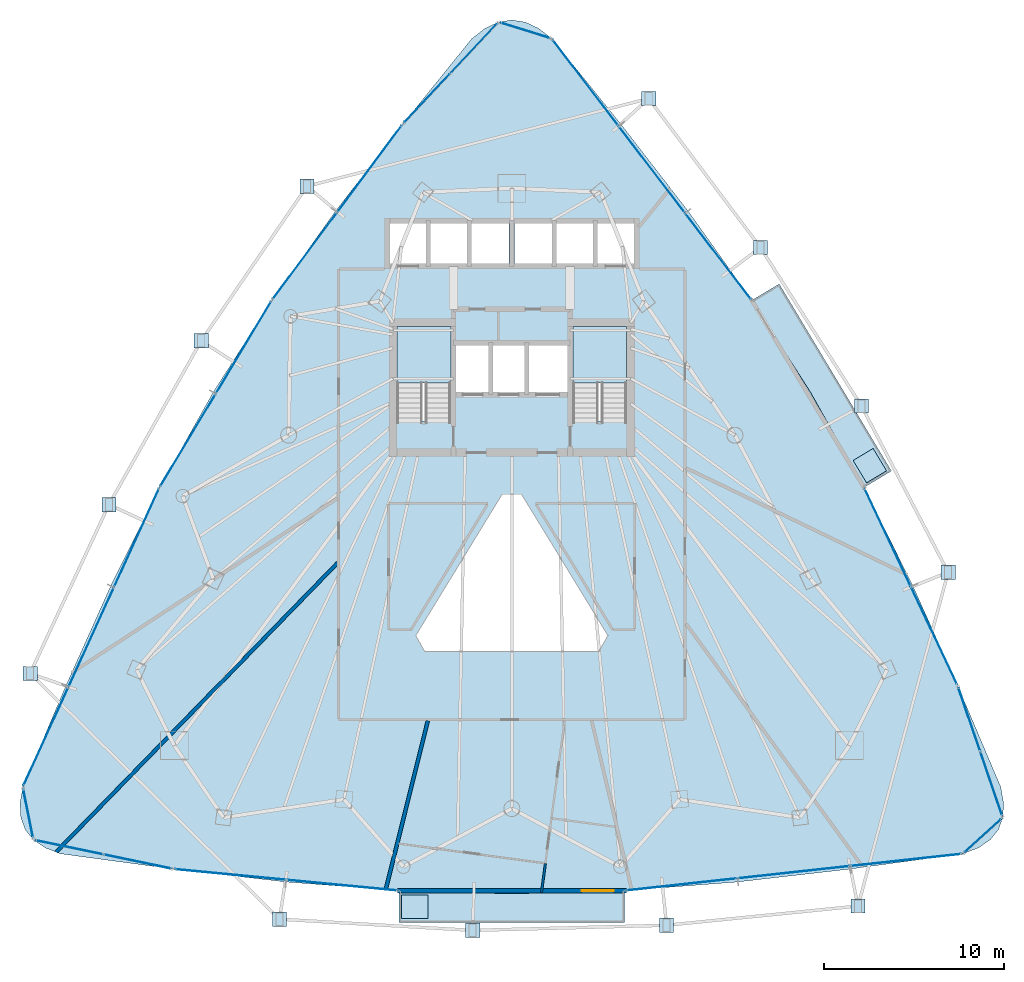
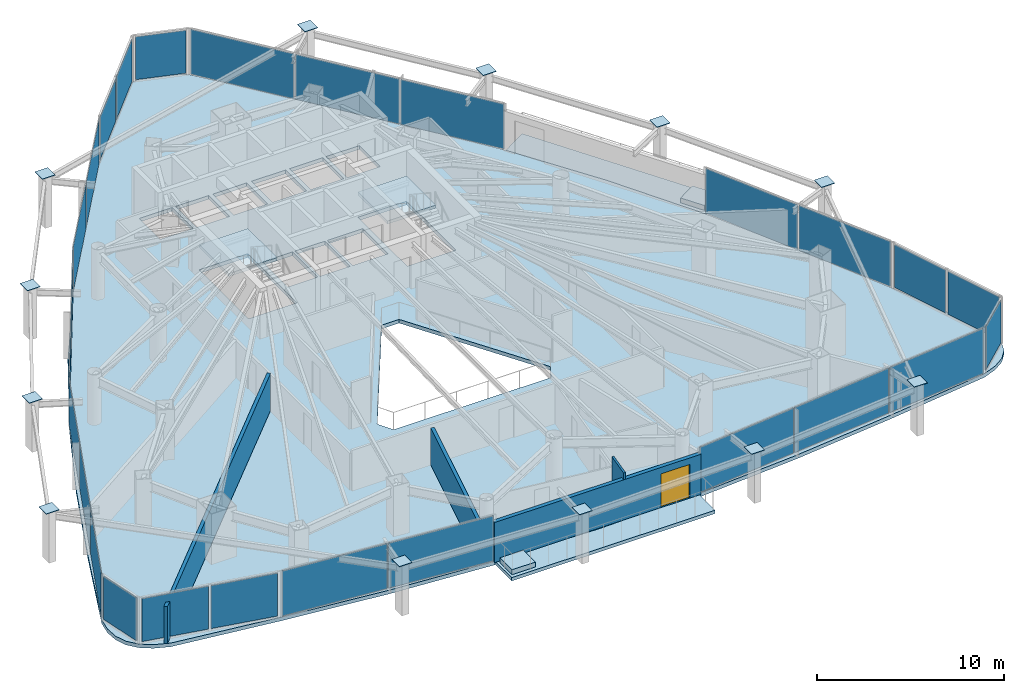
# One storey, part 28 of 33: 38 plates, 7 slabs, 4 walls, 1 door, 1 opening, 15 elements without a shape of their own.
"""IFC4 building model written with IfcOpenShell, lengths in metres."""

from ifc_helpers import new_model, si_unit, direction, frame, frame_2d, origin, origin_2d, place, context, subcontext, project, spatial, polyline, rectangle, outline, extrude, material, layer, layer_set, type_object, element, fill, aggregate, save


model = new_model("IFC4")

# Units and contexts
model_context = context("Model", 3, precision=1e-05, world=origin(), true_north=direction((0.0, 1.0)))
body_context = subcontext(model_context, "Body", "Model", "MODEL_VIEW")
ifc_project = project(units=[si_unit("LENGTHUNIT", "METRE"), si_unit("AREAUNIT", "SQUARE_METRE"), si_unit("VOLUMEUNIT", "CUBIC_METRE"), si_unit("PLANEANGLEUNIT", "RADIAN"), si_unit("MASSUNIT", "GRAM", prefix="KILO")], contexts=[model_context])

# Site, building, storey
site_placement = place(None, origin())
site = spatial("IfcSite", under=ifc_project, at=site_placement, CompositionType="ELEMENT")
building_placement = place(site_placement, origin())
building = spatial("IfcBuilding", under=site, at=building_placement, Name="Orvanel Arch Residences", CompositionType="ELEMENT")
storey_placement = place(building_placement, frame((0.0, 0.0, 87.35009765625)))
storey = spatial("IfcBuildingStorey", under=building, at=storey_placement, Name="L24", CompositionType="ELEMENT", Elevation=87.35009765625)

# Plates
ifc_material_1 = material(Name="Structural steel AS/NZS 3678 Grade 350", Category="steel")
ifc_layer_1 = layer(ifc_material_1, 0.031982421875)
ifc_layer_set_1 = layer_set([ifc_layer_1], Name="Structural steel AS/NZS 3678 Grade 350")
plate_type_1 = type_object("IfcPlateType", Name="PL-CAP-32", PredefinedType="SHEET", material=ifc_layer_set_1)
for number, where, z_axis, x_axis, name in (
    (1, (21.591064453125, 41.511962890625, 3.28369140625), (0.0, 0.0, 1.0), (1.0, 0.0, 0.0), "L24 hollow member end cap plate"),
    (2, (15.697021484375, 32.89697265625, 3.28369140625), (0.0, 0.0, 1.0), (1.0, 0.0, 0.0), "L24 hollow member end cap plate"),
    (3, (10.556884765625, 23.77392578125, 3.28369140625), (0.0, 0.0, 1.0), (1.0, 0.0, 0.0), "L24 hollow member end cap plate"),
    (4, (6.1650390625, 14.3720703125, 3.28369140625), (0.0, 0.0, 1.0), (1.0, 0.0, 0.0), "L24 hollow member end cap plate"),
    (5, (20.055908203125, 0.681884765625, 3.28369140625), (0.0, 0.0, 1.0), (1.0, 0.0, 0.0), "L24 hollow member end cap plate"),
    (6, (30.81494140625, 0.05908203125, 3.28369140625), (0.0, 0.0, 1.0), (1.0, 0.0, 0.0), "L24 hollow member end cap plate"),
    (7, (41.6201171875, 0.343017578125, 3.28369140625), (0.0, 0.0, 1.0), (1.0, 0.0, 0.0), "L24 hollow member end cap plate"),
    (8, (52.284912109375, 1.4130859375, 3.28369140625), (0.0, 0.0, 1.0), (1.0, 0.0, 0.0), "L24 hollow member end cap plate"),
    (9, (57.305908203125, 20.010009765625, 3.28369140625), (0.0, 0.0, 1.0), (1.0, 0.0, 0.0), "L24 hollow member end cap plate"),
    (10, (52.48095703125, 29.26708984375, 3.28369140625), (0.0, 0.0, 1.0), (1.0, 0.0, 0.0), "L24 hollow member end cap plate"),
    (11, (46.85205078125, 38.096923828125, 3.28369140625), (0.0, 0.0, 1.0), (1.0, 0.0, 0.0), "L24 hollow member end cap plate"),
    (12, (40.625, 46.39697265625, 3.28369140625), (0.0, 0.0, 1.0), (1.0, 0.0, 0.0), "L24 hollow member end cap plate"),
):
    element("IfcPlate", number, at=place(storey_placement, frame(where, z_axis=z_axis, x_axis=x_axis)), inside=storey, type_object=plate_type_1, Name=name, PredefinedType="SHEET", context=body_context, shape_type="SweptSolid", body=[
        extrude(rectangle(XDim=0.800048828125, YDim=0.800048828125, at=origin_2d()), origin(), (0.0, 0.0, 1.0), 0.031982421875),
    ])

# Curtain wall, plates
ifc_material_2 = material(Name="Bronze-anodised aluminium AA6063-T6", Category="aluminium")
ifc_layer_2 = layer(ifc_material_2, 0.179931640625)
ifc_layer_set_2 = layer_set([ifc_layer_2], Name="Bronze-anodised aluminium AA6063-T6")
curtain_wall_type_1 = type_object("IfcCurtainWallType", Name="CW2-LOW-SYS", PredefinedType="NOTDEFINED", material=ifc_layer_set_2)
curtain_wall_1_placement = place(storey_placement, origin())
curtain_wall_1 = element("IfcCurtainWall", 13, at=curtain_wall_1_placement, inside=storey, type_object=curtain_wall_type_1, Name="L24 CW2-LOW-SYS Unitised Curtain Wall", PredefinedType="NOTDEFINED")
ifc_material_3 = material(Name="Double-glazed solar-control low-E safety glass", Category="glass")
ifc_layer_3 = layer(ifc_material_3, 0.028076171875)
ifc_layer_set_3 = layer_set([ifc_layer_3], Name="Double-glazed solar-control low-E safety glass")
plate_type_2 = type_object("IfcPlateType", Name="PNL-GLZ-28", PredefinedType="CURTAIN_PANEL", material=ifc_layer_set_3)
plate_1_placement = place(storey_placement, frame((25.074951171875, 42.485107421875, 0.059814453125), z_axis=(0.0, 0.0, 1.0), x_axis=(-0.59629979893, -0.80276182632, 0.0)))
plate_1 = element("IfcPlate", 14, at=plate_1_placement, type_object=plate_type_2, Name="CW-S2 panel 1.1", PredefinedType="CURTAIN_PANEL", context=body_context, shape_type="SweptSolid", body=[
    extrude(rectangle(XDim=5.98095703125, YDim=0.028076171875, at=origin_2d()), origin(), (0.0, 0.0, 1.0), 2.93994140625),
])
plate_2_placement = place(storey_placement, frame((21.467041015625, 37.627685546875, 0.059814453125), z_axis=(0.0, 0.0, 1.0), x_axis=(-0.59629979893, -0.80276182632, 0.0)))
plate_2 = element("IfcPlate", 15, at=plate_2_placement, type_object=plate_type_2, Name="CW-S2 panel 2.1", PredefinedType="CURTAIN_PANEL", context=body_context, shape_type="SweptSolid", body=[
    extrude(rectangle(XDim=5.98095703125, YDim=0.028076171875, at=origin_2d()), origin(), (0.0, 0.0, 1.0), 2.93994140625),
])
aggregate(curtain_wall_1, [plate_1, plate_2])

curtain_wall_2_placement = place(storey_placement, origin())
curtain_wall_2 = element("IfcCurtainWall", 16, at=curtain_wall_2_placement, inside=storey, type_object=curtain_wall_type_1, Name="L24 CW2-LOW-SYS Unitised Curtain Wall", PredefinedType="NOTDEFINED")
plate_3_placement = place(storey_placement, frame((18.05322265625, 32.526123046875, 0.059814453125), z_axis=(0.0, 0.0, 1.0), x_axis=(-0.514422907712, -0.857536630134, 0.0)))
plate_3 = element("IfcPlate", 17, at=plate_3_placement, type_object=plate_type_2, Name="CW-S2 panel 1.1", PredefinedType="CURTAIN_PANEL", context=body_context, shape_type="SweptSolid", body=[
    extrude(rectangle(XDim=5.951416015625, YDim=0.028076171875, at=origin_2d()), origin(), (0.0, 0.0, 1.0), 2.93994140625),
])
plate_4_placement = place(storey_placement, frame((14.955810546875, 27.36279296875, 0.059814453125), z_axis=(0.0, 0.0, 1.0), x_axis=(-0.514422907712, -0.857536630134, 0.0)))
plate_4 = element("IfcPlate", 18, at=plate_4_placement, type_object=plate_type_2, Name="CW-S2 panel 2.1", PredefinedType="CURTAIN_PANEL", context=body_context, shape_type="SweptSolid", body=[
    extrude(rectangle(XDim=5.951416015625, YDim=0.028076171875, at=origin_2d()), origin(), (0.0, 0.0, 1.0), 2.93994140625),
])
aggregate(curtain_wall_2, [plate_3, plate_4])

curtain_wall_3_placement = place(storey_placement, origin())
curtain_wall_3 = element("IfcCurtainWall", 19, at=curtain_wall_3_placement, inside=storey, type_object=curtain_wall_type_1, Name="L24 CW2-LOW-SYS Unitised Curtain Wall", PredefinedType="NOTDEFINED")
plate_5_placement = place(storey_placement, frame((12.096923828125, 21.9248046875, 0.059814453125), z_axis=(0.0, 0.0, 1.0), x_axis=(-0.415267778343, -0.90969922077, 0.0)))
plate_5 = element("IfcPlate", 20, at=plate_5_placement, type_object=plate_type_2, Name="CW-S2 panel 1.1", PredefinedType="CURTAIN_PANEL", context=body_context, shape_type="SweptSolid", body=[
    extrude(rectangle(XDim=5.996337890625, YDim=0.028076171875, at=origin_2d()), origin(), (0.0, 0.0, 1.0), 2.93994140625),
])
plate_6_placement = place(storey_placement, frame((9.570556640625, 16.390380859375, 0.059814453125), z_axis=(0.0, 0.0, 1.0), x_axis=(-0.415267778343, -0.90969922077, 0.0)))
plate_6 = element("IfcPlate", 21, at=plate_6_placement, type_object=plate_type_2, Name="CW-S2 panel 2.1", PredefinedType="CURTAIN_PANEL", context=body_context, shape_type="SweptSolid", body=[
    extrude(rectangle(XDim=6.03125, YDim=0.028076171875, at=origin_2d()), origin(), (0.0, 0.0, 1.0), 2.93994140625),
])
plate_7_placement = place(storey_placement, frame((7.044189453125, 10.856201171875, 0.059814453125), z_axis=(0.0, 0.0, 1.0), x_axis=(-0.415267778343, -0.90969922077, 0.0)))
plate_7 = element("IfcPlate", 22, at=plate_7_placement, type_object=plate_type_2, Name="CW-S2 panel 3.1", PredefinedType="CURTAIN_PANEL", context=body_context, shape_type="SweptSolid", body=[
    extrude(rectangle(XDim=5.996337890625, YDim=0.028076171875, at=origin_2d()), origin(), (0.0, 0.0, 1.0), 2.93994140625),
])
aggregate(curtain_wall_3, [plate_5, plate_6, plate_7])

curtain_wall_4_placement = place(storey_placement, origin())
curtain_wall_4 = element("IfcCurtainWall", 23, at=curtain_wall_4_placement, inside=storey, type_object=curtain_wall_type_1, Name="L24 CW2-LOW-SYS Unitised Curtain Wall", PredefinedType="NOTDEFINED")
plate_8_placement = place(storey_placement, frame((17.32177734375, 3.169677734375, 0.059814453125), z_axis=(0.0, 0.0, 1.0), x_axis=(0.995449276227, -0.095292908754, 0.0)))
plate_8 = element("IfcPlate", 24, at=plate_8_placement, type_object=plate_type_2, Name="CW-S2 panel 1.1", PredefinedType="CURTAIN_PANEL", context=body_context, shape_type="SweptSolid", body=[
    extrude(rectangle(XDim=6.18603515625, YDim=0.028076171875, at=origin_2d()), origin(), (0.0, 0.0, 1.0), 2.93994140625),
])
plate_9_placement = place(storey_placement, frame((23.54931640625, 2.573486328125, 0.059814453125), z_axis=(0.0, 0.0, 1.0), x_axis=(0.995449276227, -0.095292908754, 0.0)))
plate_9 = element("IfcPlate", 25, at=plate_9_placement, type_object=plate_type_2, Name="CW-S2 panel 2.1", PredefinedType="CURTAIN_PANEL", context=body_context, shape_type="SweptSolid", body=[
    extrude(rectangle(XDim=6.18603515625, YDim=0.028076171875, at=origin_2d()), origin(), (0.0, 0.0, 1.0), 2.93994140625),
])
aggregate(curtain_wall_4, [plate_8, plate_9])

curtain_wall_5_placement = place(storey_placement, origin())
curtain_wall_5 = element("IfcCurtainWall", 26, at=curtain_wall_5_placement, inside=storey, type_object=curtain_wall_type_1, Name="L24 CW2-LOW-SYS Unitised Curtain Wall", PredefinedType="NOTDEFINED")
plate_10_placement = place(storey_placement, frame((42.453857421875, 2.615478515625, 0.059814453125), z_axis=(0.0, 0.0, 1.0), x_axis=(0.994117397629, 0.108307893213, 0.0)))
plate_10 = element("IfcPlate", 27, at=plate_10_placement, type_object=plate_type_2, Name="CW-S2 panel 1.1", PredefinedType="CURTAIN_PANEL", context=body_context, shape_type="SweptSolid", body=[
    extrude(rectangle(XDim=6.201171875, YDim=0.028076171875, at=origin_2d()), origin(), (0.0, 0.0, 1.0), 2.93994140625),
])
plate_11_placement = place(storey_placement, frame((48.70556640625, 3.29638671875, 0.059814453125), z_axis=(0.0, 0.0, 1.0), x_axis=(0.994117397629, 0.108307893213, 0.0)))
plate_11 = element("IfcPlate", 28, at=plate_11_placement, type_object=plate_type_2, Name="CW-S2 panel 2.1", PredefinedType="CURTAIN_PANEL", context=body_context, shape_type="SweptSolid", body=[
    extrude(rectangle(XDim=6.236083984375, YDim=0.028076171875, at=origin_2d()), origin(), (0.0, 0.0, 1.0), 2.93994140625),
])
plate_12_placement = place(storey_placement, frame((54.95703125, 3.9775390625, 0.059814453125), z_axis=(0.0, 0.0, 1.0), x_axis=(0.994117397629, 0.108307893213, 0.0)))
plate_12 = element("IfcPlate", 29, at=plate_12_placement, type_object=plate_type_2, Name="CW-S2 panel 3.1", PredefinedType="CURTAIN_PANEL", context=body_context, shape_type="SweptSolid", body=[
    extrude(rectangle(XDim=6.201171875, YDim=0.028076171875, at=origin_2d()), origin(), (0.0, 0.0, 1.0), 2.93994140625),
])
aggregate(curtain_wall_5, [plate_10, plate_11, plate_12])

curtain_wall_6_placement = place(storey_placement, origin())
curtain_wall_6 = element("IfcCurtainWall", 30, at=curtain_wall_6_placement, inside=storey, type_object=curtain_wall_type_1, Name="L24 CW2-LOW-SYS Unitised Curtain Wall", PredefinedType="NOTDEFINED")
plate_13_placement = place(storey_placement, frame((56.52392578125, 16.478759765625, 0.059814453125), z_axis=(0.0, 0.0, 1.0), x_axis=(-0.427386942528, 0.904068803442, 0.0)))
plate_13 = element("IfcPlate", 31, at=plate_13_placement, type_object=plate_type_2, Name="CW-S2 panel 1.1", PredefinedType="CURTAIN_PANEL", context=body_context, shape_type="SweptSolid", body=[
    extrude(rectangle(XDim=5.980712890625, YDim=0.028076171875, at=origin_2d()), origin(), (0.0, 0.0, 1.0), 2.93994140625),
])
plate_14_placement = place(storey_placement, frame((53.93798828125, 21.94921875, 0.059814453125), z_axis=(0.0, 0.0, 1.0), x_axis=(-0.427386942528, 0.904068803442, 0.0)))
plate_14 = element("IfcPlate", 32, at=plate_14_placement, type_object=plate_type_2, Name="CW-S2 panel 2.1", PredefinedType="CURTAIN_PANEL", context=body_context, shape_type="SweptSolid", body=[
    extrude(rectangle(XDim=5.980712890625, YDim=0.028076171875, at=origin_2d()), origin(), (0.0, 0.0, 1.0), 2.93994140625),
])
aggregate(curtain_wall_6, [plate_13, plate_14])

curtain_wall_7_placement = place(storey_placement, origin())
curtain_wall_7 = element("IfcCurtainWall", 33, at=curtain_wall_7_placement, inside=storey, type_object=curtain_wall_type_1, Name="L24 CW2-LOW-SYS Unitised Curtain Wall", PredefinedType="NOTDEFINED")
plate_15_placement = place(storey_placement, frame((44.495361328125, 37.60888671875, 0.059814453125), z_axis=(0.0, 0.0, 1.0), x_axis=(-0.607109355399, 0.794618292381, 0.0)))
plate_15 = element("IfcPlate", 34, at=plate_15_placement, type_object=plate_type_2, Name="CW-S2 panel 1.1", PredefinedType="CURTAIN_PANEL", context=body_context, shape_type="SweptSolid", body=[
    extrude(rectangle(XDim=5.99609375, YDim=0.028076171875, at=origin_2d()), origin(), (0.0, 0.0, 1.0), 2.93994140625),
])
plate_16_placement = place(storey_placement, frame((40.802001953125, 42.443115234375, 0.059814453125), z_axis=(0.0, 0.0, 1.0), x_axis=(-0.607109355399, 0.794618292381, 0.0)))
plate_16 = element("IfcPlate", 35, at=plate_16_placement, type_object=plate_type_2, Name="CW-S2 panel 2.1", PredefinedType="CURTAIN_PANEL", context=body_context, shape_type="SweptSolid", body=[
    extrude(rectangle(XDim=6.031005859375, YDim=0.028076171875, at=origin_2d()), origin(), (0.0, 0.0, 1.0), 2.93994140625),
])
plate_17_placement = place(storey_placement, frame((37.108642578125, 47.277099609375, 0.059814453125), z_axis=(0.0, 0.0, 1.0), x_axis=(-0.607109355399, 0.794618292381, 0.0)))
plate_17 = element("IfcPlate", 36, at=plate_17_placement, type_object=plate_type_2, Name="CW-S2 panel 3.1", PredefinedType="CURTAIN_PANEL", context=body_context, shape_type="SweptSolid", body=[
    extrude(rectangle(XDim=5.99609375, YDim=0.028076171875, at=origin_2d()), origin(), (0.0, 0.0, 1.0), 2.93994140625),
])
aggregate(curtain_wall_7, [plate_15, plate_16, plate_17])

# Curtain wall, plate
ifc_layer_4 = layer(ifc_material_2, 0.18994140625)
ifc_layer_set_4 = layer_set([ifc_layer_4], Name="Bronze-anodised aluminium AA6063-T6")
curtain_wall_type_2 = type_object("IfcCurtainWallType", Name="CW5-CRN-SYS", PredefinedType="NOTDEFINED", material=ifc_layer_set_4)
curtain_wall_8_placement = place(storey_placement, origin())
curtain_wall_8 = element("IfcCurtainWall", 37, at=curtain_wall_8_placement, inside=storey, type_object=curtain_wall_type_2, Name="L24 CW5-CRN-SYS Unitised Curtain Wall", PredefinedType="NOTDEFINED")
ifc_layer_5 = layer(ifc_material_3, 0.031982421875)
ifc_layer_set_5 = layer_set([ifc_layer_5], Name="Double-glazed solar-control low-E safety glass")
plate_type_3 = type_object("IfcPlateType", Name="PNL-GLZ-32", PredefinedType="CURTAIN_PANEL", material=ifc_layer_set_5)
plate_18_placement = place(storey_placement, frame((33.744384765625, 50.194580078125, 0.1298828125), z_axis=(0.0, 0.0, 1.0), x_axis=(-0.954854729762, 0.297073130813, 0.0)))
plate_18 = element("IfcPlate", 38, at=plate_18_placement, type_object=plate_type_3, Name="CW-S5 panel 1.1", PredefinedType="CURTAIN_PANEL", context=body_context, shape_type="SweptSolid", body=[
    extrude(rectangle(XDim=2.780029296875, YDim=0.031982421875, at=origin_2d()), origin(), (0.0, 0.0, 1.0), 2.800048828125),
])
aggregate(curtain_wall_8, [plate_18])

# Curtain wall, plates
curtain_wall_9_placement = place(storey_placement, origin())
curtain_wall_9 = element("IfcCurtainWall", 39, at=curtain_wall_9_placement, inside=storey, type_object=curtain_wall_type_2, Name="L24 CW5-CRN-SYS Unitised Curtain Wall", PredefinedType="NOTDEFINED")
plate_19_placement = place(storey_placement, frame((30.88671875, 49.1982421875, 0.1298828125), z_axis=(0.0, 0.0, 1.0), x_axis=(-0.683898325787, -0.729577329682, 0.0)))
plate_19 = element("IfcPlate", 40, at=plate_19_placement, type_object=plate_type_3, Name="CW-S5 panel 1.1", PredefinedType="CURTAIN_PANEL", context=body_context, shape_type="SweptSolid", body=[
    extrude(rectangle(XDim=3.660888671875, YDim=0.031982421875, at=origin_2d()), origin(), (0.0, 0.0, 1.0), 2.800048828125),
])
plate_20_placement = place(storey_placement, frame((28.280517578125, 46.41796875, 0.1298828125), z_axis=(0.0, 0.0, 1.0), x_axis=(-0.683898325787, -0.729577329682, 0.0)))
plate_20 = element("IfcPlate", 41, at=plate_20_placement, type_object=plate_type_3, Name="CW-S5 panel 2.1", PredefinedType="CURTAIN_PANEL", context=body_context, shape_type="SweptSolid", body=[
    extrude(rectangle(XDim=3.660888671875, YDim=0.031982421875, at=origin_2d()), origin(), (0.0, 0.0, 1.0), 2.800048828125),
])
aggregate(curtain_wall_9, [plate_19, plate_20])

# Curtain wall, plate
curtain_wall_10_placement = place(storey_placement, origin())
curtain_wall_10 = element("IfcCurtainWall", 42, at=curtain_wall_10_placement, inside=storey, type_object=curtain_wall_type_2, Name="L24 CW5-CRN-SYS Unitised Curtain Wall", PredefinedType="NOTDEFINED")
plate_21_placement = place(storey_placement, frame((6.055908203125, 6.573974609375, 0.1298828125), z_axis=(0.0, 0.0, 1.0), x_axis=(0.195726742876, -0.980658473743, 0.0)))
plate_21 = element("IfcPlate", 43, at=plate_21_placement, type_object=plate_type_3, Name="CW-S5 panel 1.1", PredefinedType="CURTAIN_PANEL", context=body_context, shape_type="SweptSolid", body=[
    extrude(rectangle(XDim=2.663330078125, YDim=0.031982421875, at=origin_2d()), origin(), (0.0, 0.0, 1.0), 2.800048828125),
])
aggregate(curtain_wall_10, [plate_21])

# Curtain wall, plates
curtain_wall_11_placement = place(storey_placement, origin())
curtain_wall_11 = element("IfcCurtainWall", 44, at=curtain_wall_11_placement, inside=storey, type_object=curtain_wall_type_2, Name="L24 CW5-CRN-SYS Unitised Curtain Wall", PredefinedType="NOTDEFINED")
plate_22_placement = place(storey_placement, frame((8.347412109375, 4.684326171875, 0.1298828125), z_axis=(0.0, 0.0, 1.0), x_axis=(0.978912174653, -0.204281556473, 0.0)))
plate_22 = element("IfcPlate", 45, at=plate_22_placement, type_object=plate_type_3, Name="CW-S5 panel 1.1", PredefinedType="CURTAIN_PANEL", context=body_context, shape_type="SweptSolid", body=[
    extrude(rectangle(XDim=3.740234375, YDim=0.031982421875, at=origin_2d()), origin(), (0.0, 0.0, 1.0), 2.800048828125),
])
plate_23_placement = place(storey_placement, frame((12.155517578125, 3.8896484375, 0.1298828125), z_axis=(0.0, 0.0, 1.0), x_axis=(0.978912174653, -0.204281556473, 0.0)))
plate_23 = element("IfcPlate", 46, at=plate_23_placement, type_object=plate_type_3, Name="CW-S5 panel 2.1", PredefinedType="CURTAIN_PANEL", context=body_context, shape_type="SweptSolid", body=[
    extrude(rectangle(XDim=3.740234375, YDim=0.031982421875, at=origin_2d()), origin(), (0.0, 0.0, 1.0), 2.800048828125),
])
aggregate(curtain_wall_11, [plate_22, plate_23])

# Curtain wall, plate
curtain_wall_12_placement = place(storey_placement, origin())
curtain_wall_12 = element("IfcCurtainWall", 47, at=curtain_wall_12_placement, inside=storey, type_object=curtain_wall_type_2, Name="L24 CW5-CRN-SYS Unitised Curtain Wall", PredefinedType="NOTDEFINED")
plate_24_placement = place(storey_placement, frame((59.240966796875, 5.33251953125, 0.1298828125), z_axis=(0.0, 0.0, 1.0), x_axis=(0.740199537134, 0.672387273249, 0.0)))
plate_24 = element("IfcPlate", 48, at=plate_24_placement, type_object=plate_type_3, Name="CW-S5 panel 1.1", PredefinedType="CURTAIN_PANEL", context=body_context, shape_type="SweptSolid", body=[
    extrude(rectangle(XDim=2.6640625, YDim=0.031982421875, at=origin_2d()), origin(), (0.0, 0.0, 1.0), 2.800048828125),
])
aggregate(curtain_wall_12, [plate_24])

# Curtain wall, plates
curtain_wall_13_placement = place(storey_placement, origin())
curtain_wall_13 = element("IfcCurtainWall", 49, at=curtain_wall_13_placement, inside=storey, type_object=curtain_wall_type_2, Name="L24 CW5-CRN-SYS Unitised Curtain Wall", PredefinedType="NOTDEFINED")
plate_25_placement = place(storey_placement, frame((59.7099609375, 8.22509765625, 0.1298828125), z_axis=(0.0, 0.0, 1.0), x_axis=(-0.32343774043, 0.946249453403, 0.0)))
plate_25 = element("IfcPlate", 50, at=plate_25_placement, type_object=plate_type_3, Name="CW-S5 panel 1.1", PredefinedType="CURTAIN_PANEL", context=body_context, shape_type="SweptSolid", body=[
    extrude(rectangle(XDim=3.6396484375, YDim=0.031982421875, at=origin_2d()), origin(), (0.0, 0.0, 1.0), 2.800048828125),
])
plate_26_placement = place(storey_placement, frame((58.484130859375, 11.81103515625, 0.1298828125), z_axis=(0.0, 0.0, 1.0), x_axis=(-0.32343774043, 0.946249453403, 0.0)))
plate_26 = element("IfcPlate", 51, at=plate_26_placement, type_object=plate_type_3, Name="CW-S5 panel 2.1", PredefinedType="CURTAIN_PANEL", context=body_context, shape_type="SweptSolid", body=[
    extrude(rectangle(XDim=3.6396484375, YDim=0.031982421875, at=origin_2d()), origin(), (0.0, 0.0, 1.0), 2.800048828125),
])
aggregate(curtain_wall_13, [plate_25, plate_26])

# Slabs
ifc_material_4 = material(Name="Concrete N40 (40 MPa)", Category="concrete")
ifc_layer_6 = layer(ifc_material_4, 0.215087890625)
ifc_layer_set_6 = layer_set([ifc_layer_6], Name="Concrete N40 (40 MPa)")
slab_type_1 = type_object("IfcSlabType", Name="SLB-BAL-215", PredefinedType="FLOOR", material=ifc_layer_set_6)
slab_1_placement = place(storey_placement, frame((0.0, 0.0, -0.215087890625)))
element("IfcSlab", 52, at=slab_1_placement, inside=storey, type_object=slab_type_1, Name="L24 Cantilevered Balcony Slab Face 2", PredefinedType="FLOOR", context=body_context, shape_type="SweptSolid", body=[
    extrude(outline(polyline([(26.718017578125, 0.489990234375), (39.281982421875, 0.489990234375), (39.281982421875, 2.27001953125), (33.0, 2.10107421875), (26.718017578125, 2.27001953125), (26.718017578125, 0.489990234375)])), origin(), (0.0, 0.0, 1.0), 0.215087890625),
])
slab_2_placement = place(storey_placement, frame((0.0, 0.0, -0.215087890625)))
element("IfcSlab", 53, at=slab_2_placement, inside=storey, type_object=slab_type_1, Name="L24 Cantilevered Balcony Slab Face 3", PredefinedType="FLOOR", context=body_context, shape_type="SweptSolid", body=[
    extrude(outline(polyline([(54.14794921875, 25.64990234375), (47.89697265625, 36.071044921875), (46.3701171875, 35.155029296875), (49.64111328125, 30.031005859375), (52.62109375, 24.73388671875), (54.14794921875, 25.64990234375)])), origin(), (0.0, 0.0, 1.0), 0.215087890625),
])

# Stair, slab
ifc_material_5 = material(Name="Precast concrete N50 (50 MPa)", Category="concrete")
stair_type = type_object("IfcStairType", Name="STR-DOG-184", PredefinedType="USERDEFINED", material=ifc_material_5)
stair_1_placement = place(storey_placement, origin())
stair_1 = element("IfcStair", 54, at=stair_1_placement, inside=storey, type_object=stair_type, Name="L24 Fire-Isolated Core Exit Stair 1", ObjectType="TWO_RETURN_STAIR", PredefinedType="USERDEFINED")
ifc_layer_7 = layer(ifc_material_4, 0.199951171875)
ifc_layer_set_7 = layer_set([ifc_layer_7], Name="Concrete N40 (40 MPa)")
slab_type_2 = type_object("IfcSlabType", Name="SLB-LND-200", PredefinedType="LANDING", material=ifc_layer_set_7)
slab_3_placement = place(storey_placement, frame((0.0, 0.0, 1.449951171875)))
slab_3 = element("IfcSlab", 55, at=slab_3_placement, type_object=slab_type_2, Name="ST-1 landing 1", PredefinedType="LANDING", context=body_context, shape_type="SweptSolid", body=[
    extrude(outline(polyline([(29.60009765625, 30.56005859375), (29.60009765625, 33.699951171875), (26.60009765625, 33.699951171875), (26.60009765625, 30.56005859375), (29.60009765625, 30.56005859375)])), origin(), (0.0, 0.0, 1.0), 0.199951171875),
])
aggregate(stair_1, [slab_3])

stair_2_placement = place(storey_placement, origin())
stair_2 = element("IfcStair", 56, at=stair_2_placement, inside=storey, type_object=stair_type, Name="L24 Fire-Isolated Core Exit Stair 2", ObjectType="TWO_RETURN_STAIR", PredefinedType="USERDEFINED")
slab_4_placement = place(storey_placement, frame((0.0, 0.0, 1.449951171875)))
slab_4 = element("IfcSlab", 57, at=slab_4_placement, type_object=slab_type_2, Name="ST-2 landing 1", PredefinedType="LANDING", context=body_context, shape_type="SweptSolid", body=[
    extrude(outline(polyline([(39.39990234375, 30.56005859375), (39.39990234375, 33.699951171875), (36.39990234375, 33.699951171875), (36.39990234375, 30.56005859375), (39.39990234375, 30.56005859375)])), origin(), (0.0, 0.0, 1.0), 0.199951171875),
])
aggregate(stair_2, [slab_4])

# Slabs
ifc_material_6 = material(Name="Structural architectural precast concrete N40 (40 MPa) planter", Category="concrete")
ifc_layer_8 = layer(ifc_material_6, 0.320068359375)
ifc_layer_set_8 = layer_set([ifc_layer_8], Name="Structural architectural precast concrete N40 (40 MPa) planter")
slab_type_3 = type_object("IfcSlabType", Name="SLB-PLN-320", PredefinedType="USERDEFINED", material=ifc_layer_set_8)
slab_5_placement = place(storey_placement, origin())
element("IfcSlab", 58, at=slab_5_placement, inside=storey, type_object=slab_type_3, Name="L24 Balcony TREE PLANTER Face 2", ObjectType="PLANTER", PredefinedType="USERDEFINED", context=body_context, shape_type="SweptSolid", body=[
    extrude(outline(polyline([(26.867919921875, 0.719970703125), (28.318115234375, 0.719970703125), (28.318115234375, 2.02001953125), (26.867919921875, 2.02001953125), (26.867919921875, 0.719970703125)])), origin(), (0.0, 0.0, 1.0), 0.31982421875),
])
slab_6_placement = place(storey_placement, origin())
element("IfcSlab", 59, at=slab_6_placement, inside=storey, type_object=slab_type_3, Name="L24 Balcony TREE PLANTER Face 3", ObjectType="PLANTER", PredefinedType="USERDEFINED", context=body_context, shape_type="SweptSolid", body=[
    extrude(outline(polyline([(53.873046875, 25.659912109375), (53.126953125, 26.903076171875), (52.012939453125, 26.235107421875), (52.759033203125, 24.990966796875), (53.873046875, 25.659912109375)])), origin(), (0.0, 0.0, 1.0), 0.31982421875),
])
ifc_layer_9 = layer(ifc_material_4, 0.239990234375)
ifc_layer_set_9 = layer_set([ifc_layer_9], Name="Concrete N40 (40 MPa)")
slab_type_4 = type_object("IfcSlabType", Name="SLB-TYP-240", PredefinedType="FLOOR", material=ifc_layer_set_9)
slab_7_placement = place(storey_placement, frame((0.0, 0.0, -0.239990234375)))
element("IfcSlab", 60, at=slab_7_placement, inside=storey, type_object=slab_type_4, Name="L24 Tower Floor Slab", PredefinedType="FLOOR", context=body_context, shape_type="SweptSolid", body=[
    extrude(outline(polyline([(35.23388671875, 49.73095703125), (34.489013671875, 50.31005859375), (33.7451171875, 50.657958984375), (33.0, 50.77294921875), (32.2548828125, 50.657958984375), (31.510986328125, 50.31005859375), (30.76611328125, 49.73095703125), (26.912109375, 44.9580078125), (23.16796875, 40.117919921875), (19.6298828125, 35.155029296875), (16.35888671875, 30.031005859375), (13.37890625, 24.73388671875), (10.666015625, 19.27587890625), (8.158935546875, 13.694091796875), (5.761962890625, 8.047119140625), (5.60205078125, 7.135986328125), (5.64697265625, 6.342041015625), (5.89599609375, 5.6630859375), (6.35009765625, 5.10107421875), (7.008056640625, 4.654052734375), (7.87109375, 4.322998046875), (14.153076171875, 3.472900390625), (20.43603515625, 2.751953125), (26.718017578125, 2.27001953125), (33.0, 2.10107421875), (39.281982421875, 2.27001953125), (45.56494140625, 2.751953125), (51.846923828125, 3.472900390625), (58.12890625, 4.322998046875), (58.991943359375, 4.654052734375), (59.64990234375, 5.10107421875), (60.10400390625, 5.6630859375), (60.35302734375, 6.342041015625), (60.39794921875, 7.135986328125), (60.238037109375, 8.047119140625), (57.841064453125, 13.694091796875), (55.333984375, 19.27587890625), (52.62109375, 24.73388671875), (49.64111328125, 30.031005859375), (46.3701171875, 35.155029296875), (42.83203125, 40.117919921875), (39.087890625, 44.9580078125), (35.23388671875, 49.73095703125)]), holes=[polyline([(26.60009765625, 28.429931640625), (26.60009765625, 33.699951171875), (29.60009765625, 33.699951171875), (29.60009765625, 28.429931640625), (26.60009765625, 28.429931640625)]), polyline([(36.39990234375, 28.429931640625), (36.39990234375, 33.699951171875), (39.39990234375, 33.699951171875), (39.39990234375, 28.429931640625), (36.39990234375, 28.429931640625)]), polyline([(29.89990234375, 32.64990234375), (31.75, 32.64990234375), (31.75, 29.949951171875), (29.89990234375, 29.949951171875), (29.89990234375, 32.64990234375)]), polyline([(31.89990234375, 32.64990234375), (33.75, 32.64990234375), (33.75, 29.949951171875), (31.89990234375, 29.949951171875), (31.89990234375, 32.64990234375)]), polyline([(33.89990234375, 32.64990234375), (36.10009765625, 32.64990234375), (36.10009765625, 29.949951171875), (33.89990234375, 29.949951171875), (33.89990234375, 32.64990234375)]), polyline([(26.199951171875, 39.449951171875), (28.25, 39.449951171875), (28.25, 37.199951171875), (26.199951171875, 37.199951171875), (26.199951171875, 39.449951171875)]), polyline([(37.75, 39.449951171875), (39.800048828125, 39.449951171875), (39.800048828125, 37.199951171875), (37.75, 37.199951171875), (37.75, 39.449951171875)]), polyline([(28.449951171875, 39.449951171875), (30.5, 39.449951171875), (30.5, 37.199951171875), (28.449951171875, 37.199951171875), (28.449951171875, 39.449951171875)]), polyline([(35.5, 39.449951171875), (37.550048828125, 39.449951171875), (37.550048828125, 37.199951171875), (35.5, 37.199951171875), (35.5, 39.449951171875)]), polyline([(30.75, 39.449951171875), (32.85009765625, 39.449951171875), (32.85009765625, 37.199951171875), (30.75, 37.199951171875), (30.75, 39.449951171875)]), polyline([(33.14990234375, 39.449951171875), (35.25, 39.449951171875), (35.25, 37.199951171875), (33.14990234375, 37.199951171875), (33.14990234375, 39.449951171875)]), polyline([(38.35205078125, 16.48291015625), (37.85498046875, 15.594970703125), (28.14501953125, 15.594970703125), (27.64794921875, 16.48291015625), (32.4580078125, 24.35009765625), (33.5419921875, 24.35009765625), (38.35205078125, 16.48291015625)])]), origin(), (0.0, 0.0, 1.0), 0.239990234375),
])

# Wall, opening, door
ifc_layer_10 = layer(ifc_material_5, 0.239990234375)
ifc_layer_set_10 = layer_set([ifc_layer_10], Name="Precast concrete N50 (50 MPa)")
wall_type_1 = type_object("IfcWallType", Name="EW-BAL-240", PredefinedType="SOLIDWALL", material=ifc_layer_set_10)
wall_1_placement = place(storey_placement, frame((26.6201171875, 2.27001953125, 0.0), z_axis=(0.0, 0.0, 1.0), x_axis=(1.0, 0.0, 0.0)))
wall_1 = element("IfcWall", 61, at=wall_1_placement, inside=storey, type_object=wall_type_1, Name="L24 Balcony Threshold Wall Face 2", PredefinedType="SOLIDWALL", context=body_context, shape_type="SweptSolid", body=[
    extrude(rectangle(XDim=12.759765625, YDim=0.239990234375, at=frame_2d((6.3798828125, 0.0))), origin(), (0.0, 0.0, 1.0), 2.6240234375),
])
opening_placement = place(wall_1_placement, frame((10.262939453125, 0.0, 0.0)))
opening = element("IfcOpeningElement", 62, at=opening_placement, cuts=wall_1, Name="Opening DB-180", PredefinedType="OPENING", context=body_context, shape_type="SweptSolid", body=[
    extrude(rectangle(XDim=1.800048828125, YDim=2.199951171875, at=frame_2d((0.89990234375, 1.10009765625))), frame((0.0, 0.1298828125, 0.0), z_axis=(0.0, -1.0, 0.0), x_axis=(1.0, 0.0, 0.0)), (0.0, 0.0, 1.0), 0.260009765625),
])
door_type = type_object("IfcDoorType", Name="DR-BAL-1800", OperationType="NOTDEFINED", PredefinedType="DOOR", material=ifc_material_2)
door_placement = place(opening_placement, origin())
door = element("IfcDoor", 63, at=door_placement, inside=storey, type_object=door_type, Name="DR-L24-BAL-F2 L24 Planted Balcony Access Door Face 2", OperationType="SINGLE_SWING_LEFT", OverallHeight=2.199951171875, OverallWidth=1.800048828125, PredefinedType="DOOR", context=body_context, shape_type="SweptSolid", body=[
    extrude(rectangle(XDim=1.800048828125, YDim=2.199951171875, at=frame_2d((0.89990234375, 1.10009765625))), frame((0.0, 0.02490234375, 0.0), z_axis=(0.0, -1.0, 0.0), x_axis=(1.0, 0.0, 0.0)), (0.0, 0.0, 1.0), 0.050048828125),
])
fill(opening, door)

# Walls
ifc_material_7 = material(Name="Fire-rated plasterboard lined steel stud partition", Category="steel")
ifc_layer_11 = layer(ifc_material_7, 0.199951171875)
ifc_layer_set_11 = layer_set([ifc_layer_11], Name="Fire-rated plasterboard lined steel stud partition")
wall_type_2 = type_object("IfcWallType", Name="W-DEM-200", PredefinedType="PARTITIONING", material=ifc_layer_set_11)
wall_2_placement = place(storey_placement, frame((7.625, 4.431884765625, 0.0), z_axis=(0.0, 0.0, 1.0), x_axis=(0.697514321206, 0.716570842075, 0.0)))
element("IfcWall", 64, at=wall_2_placement, inside=storey, type_object=wall_type_2, Name="L24 Inter-Tenancy Acoustic Demising Wall", PredefinedType="PARTITIONING", context=body_context, shape_type="SweptSolid", body=[
    extrude(rectangle(XDim=22.45849609375, YDim=0.199951171875, at=frame_2d((11.229248046875, 0.0))), origin(), (0.0, 0.0, 1.0), 2.412841796875),
])
wall_3_placement = place(storey_placement, frame((28.322998046875, 11.739990234375, 0.0), z_axis=(0.0, 0.0, 1.0), x_axis=(-0.242001816391, -0.970275796289, 0.0)))
element("IfcWall", 65, at=wall_3_placement, inside=storey, type_object=wall_type_2, Name="L24 Inter-Tenancy Acoustic Demising Wall", PredefinedType="PARTITIONING", context=body_context, shape_type="SweptSolid", body=[
    extrude(rectangle(XDim=9.685791015625, YDim=0.199951171875, at=frame_2d((4.8427734375, 0.0))), origin(), (0.0, 0.0, 1.0), 2.412841796875),
])
ifc_material_8 = material(Name="Acoustic plasterboard lined twin-stud partition", Category="gypsum")
ifc_layer_12 = layer(ifc_material_8, 0.1201171875)
ifc_layer_set_12 = layer_set([ifc_layer_12], Name="Acoustic plasterboard lined twin-stud partition")
wall_type_3 = type_object("IfcWallType", Name="W-WET-120", PredefinedType="PARTITIONING", material=ifc_layer_set_12)
wall_4_placement = place(storey_placement, frame((34.65087890625, 2.159912109375, 0.0), z_axis=(0.0, 0.0, 1.0), x_axis=(0.133638685836, 0.991030121463, 0.0)))
element("IfcWall", 66, at=wall_4_placement, inside=storey, type_object=wall_type_3, Name="L24 Studio F Internal Partition", PredefinedType="PARTITIONING", context=body_context, shape_type="SweptSolid", body=[
    extrude(rectangle(XDim=1.64794921875, YDim=0.1201171875, at=frame_2d((0.823974609375, 0.0))), origin(), (0.0, 0.0, 1.0), 3.059814453125),
])

save(model, "model.ifc")
